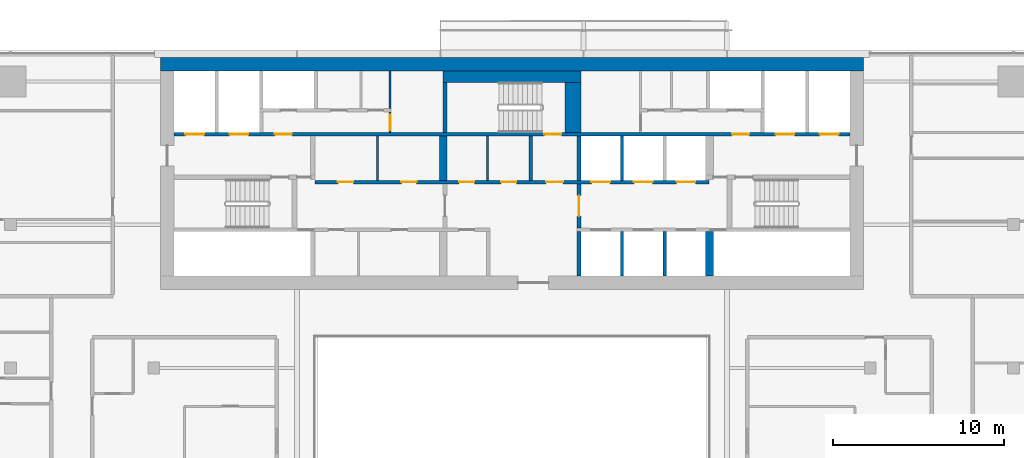
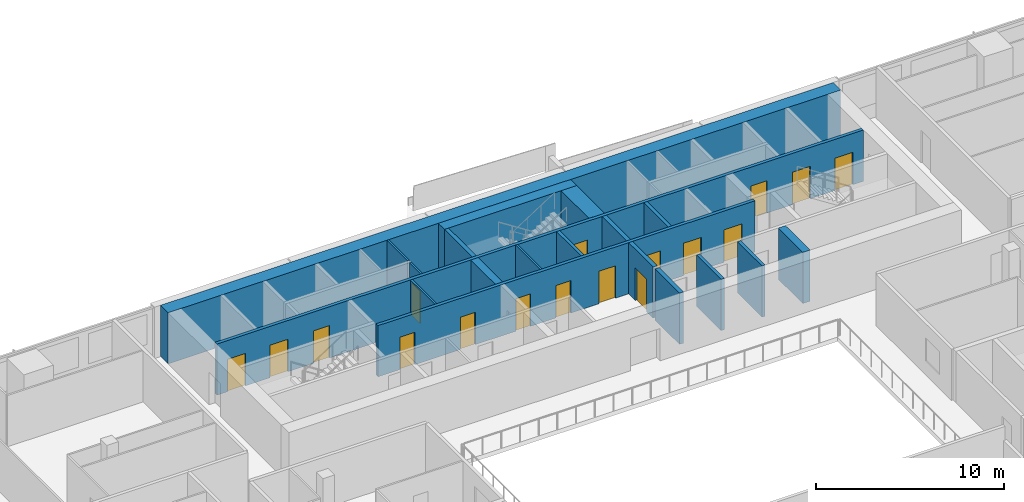
# One storey, part 21 of 27: 19 walls, 17 doors, 17 openings.
"""IFC4 building model written with IfcOpenShell, lengths in metres."""

from ifc_helpers import new_model, si_unit, direction, frame, frame_2d, origin, place, context, subcontext, project, spatial, rectangle, extrude, material, layer, layer_set, type_object, element, fill, save


model = new_model("IFC4")

# Units and contexts
model_context = context("Model", 3, precision=1e-05, world=origin(), true_north=direction((0.0, 1.0)))
body_context = subcontext(model_context, "Body", "Model", "MODEL_VIEW")
ifc_project = project(units=[si_unit("LENGTHUNIT", "METRE"), si_unit("AREAUNIT", "SQUARE_METRE"), si_unit("VOLUMEUNIT", "CUBIC_METRE"), si_unit("PLANEANGLEUNIT", "RADIAN"), si_unit("MASSUNIT", "GRAM", prefix="KILO")], contexts=[model_context])

# Site, building, storey
site_placement = place(None, origin())
site = spatial("IfcSite", under=ifc_project, at=site_placement, CompositionType="ELEMENT")
building_placement = place(site_placement, origin())
building = spatial("IfcBuilding", under=site, at=building_placement, Name="Saffron Gate Tower", CompositionType="ELEMENT")
storey_placement = place(building_placement, frame((0.0, 0.0, 172.64990234375)))
storey = spatial("IfcBuildingStorey", under=building, at=storey_placement, Name="L42", CompositionType="ELEMENT", Elevation=172.64990234375)

# Walls
ifc_material_1 = material(Name="Gypsum board partition on steel studs", Category="steel")
ifc_layer_1 = layer(ifc_material_1, 0.199951171875)
ifc_layer_set_1 = layer_set([ifc_layer_1], Name="CW10 Core partition 200")
wall_type_1 = type_object("IfcWallType", Name="CW10 Core partition 200", PredefinedType="PARTITIONING", material=ifc_layer_set_1)
wall_1_placement = place(storey_placement, frame((88.699951171875, 68.0, 0.0), z_axis=(0.0, 0.0, 1.0), x_axis=(0.0, 1.0, 0.0)))
element("IfcWall", 1, at=wall_1_placement, inside=storey, type_object=wall_type_1, Name="Wall CW10-L42-23", PredefinedType="PARTITIONING", context=body_context, shape_type="SweptSolid", body=[
    extrude(rectangle(XDim=2.60009765625, YDim=0.199951171875, at=frame_2d((1.300048828125, 0.0))), origin(), (0.0, 0.0, 1.0), 3.320068359375),
])
ifc_material_2 = material(Name="Concrete C60", Category="concrete")
ifc_layer_2 = layer(ifc_material_2, 0.800048828125)
ifc_layer_set_2 = layer_set([ifc_layer_2], Name="CW13 RC core wall 800 C60")
wall_type_2 = type_object("IfcWallType", Name="CW13 RC core wall 800 C60", PredefinedType="SOLIDWALL", material=ifc_layer_set_2)
wall_2_placement = place(storey_placement, frame((67.0, 74.800048828125, 0.0), z_axis=(0.0, 0.0, 1.0), x_axis=(1.0, 0.0, 0.0)))
element("IfcWall", 2, at=wall_2_placement, inside=storey, type_object=wall_type_2, Name="Wall CW13-L42-2", PredefinedType="SOLIDWALL", context=body_context, shape_type="SweptSolid", body=[
    extrude(rectangle(XDim=41.199951171875, YDim=0.800048828125, at=frame_2d((20.60009765625, 0.0))), origin(), (0.0, 0.0, 1.0), 3.320068359375),
])
ifc_layer_3 = layer(ifc_material_2, 0.25)
ifc_layer_set_3 = layer_set([ifc_layer_3], Name="CW14 RC core wall 250 C60")
wall_type_3 = type_object("IfcWallType", Name="CW14 RC core wall 250 C60", PredefinedType="SOLIDWALL", material=ifc_layer_set_3)
wall_3_placement = place(storey_placement, frame((91.52490234375, 62.39990234375, 0.0), z_axis=(0.0, 0.0, 1.0), x_axis=(0.0, 1.0, 0.0)))
element("IfcWall", 3, at=wall_3_placement, inside=storey, type_object=wall_type_3, Name="Wall CW14-L42-9", PredefinedType="SOLIDWALL", context=body_context, shape_type="SweptSolid", body=[
    extrude(rectangle(XDim=2.60009765625, YDim=0.25, at=frame_2d((1.300048828125, 0.0))), origin(), (0.0, 0.0, 1.0), 3.320068359375),
])

# Wall, opening, door
wall_4_placement = place(storey_placement, frame((91.52490234375, 65.199951171875, 0.0), z_axis=(0.0, 0.0, 1.0), x_axis=(0.0, 1.0, 0.0)))
wall_4 = element("IfcWall", 4, at=wall_4_placement, inside=storey, type_object=wall_type_3, Name="Wall CW14-L42-17", PredefinedType="SOLIDWALL", context=body_context, shape_type="SweptSolid", body=[
    extrude(rectangle(XDim=2.60009765625, YDim=0.25, at=frame_2d((1.300048828125, 0.0))), origin(), (0.0, 0.0, 1.0), 3.320068359375),
])
opening_1_placement = place(wall_4_placement, frame((0.699951171875, 0.0, 0.0)))
opening_1 = element("IfcOpeningElement", 5, at=opening_1_placement, cuts=wall_4, Name="Opening CR-01", PredefinedType="OPENING", context=body_context, shape_type="SweptSolid", body=[
    extrude(rectangle(XDim=1.199951171875, YDim=2.10009765625, at=frame_2d((0.60009765625, 1.050048828125))), frame((0.0, 0.135009765625, 0.0), z_axis=(0.0, -1.0, 0.0), x_axis=(1.0, 0.0, 0.0)), (0.0, 0.0, 1.0), 0.27001953125),
])
ifc_material_3 = material(Name="Steel fire door set", Category="steel")
door_type_1 = type_object("IfcDoorType", Name="CD3 Lobby door 1200x2100 EI 120", OperationType="NOTDEFINED", PredefinedType="DOOR", material=ifc_material_3)
door_1_placement = place(opening_1_placement, origin())
door_1 = element("IfcDoor", 6, at=door_1_placement, inside=storey, type_object=door_type_1, Name="DOOR CR-01", OperationType="SINGLE_SWING_RIGHT", OverallHeight=2.10009765625, OverallWidth=1.199951171875, PredefinedType="DOOR", context=body_context, shape_type="SweptSolid", body=[
    extrude(rectangle(XDim=1.199951171875, YDim=2.10009765625, at=frame_2d((0.60009765625, 1.050048828125))), frame((0.0, 0.02490234375, 0.0), z_axis=(0.0, -1.0, 0.0), x_axis=(1.0, 0.0, 0.0)), (0.0, 0.0, 1.0), 0.050048828125),
])
fill(opening_1, door_1)

# Walls
wall_5_placement = place(storey_placement, frame((91.52490234375, 68.0, 0.0), z_axis=(0.0, 0.0, 1.0), x_axis=(0.0, 1.0, 0.0)))
element("IfcWall", 7, at=wall_5_placement, inside=storey, type_object=wall_type_3, Name="Wall CW14-L42-24", PredefinedType="SOLIDWALL", context=body_context, shape_type="SweptSolid", body=[
    extrude(rectangle(XDim=2.60009765625, YDim=0.25, at=frame_2d((1.300048828125, 0.0))), origin(), (0.0, 0.0, 1.0), 3.320068359375),
])
wall_6_placement = place(storey_placement, frame((83.675048828125, 70.800048828125, 0.0), z_axis=(0.0, 0.0, 1.0), x_axis=(0.0, 1.0, 0.0)))
element("IfcWall", 8, at=wall_6_placement, inside=storey, type_object=wall_type_3, Name="Wall CW14-L42-36", PredefinedType="SOLIDWALL", context=body_context, shape_type="SweptSolid", body=[
    extrude(rectangle(XDim=2.949951171875, YDim=0.25, at=frame_2d((1.47509765625, 0.0))), origin(), (0.0, 0.0, 1.0), 3.320068359375),
])
ifc_layer_4 = layer(ifc_material_2, 0.199951171875)
ifc_layer_set_4 = layer_set([ifc_layer_4], Name="CW15 RC core wall 200 C60")
wall_type_4 = type_object("IfcWallType", Name="CW15 RC core wall 200 C60", PredefinedType="SOLIDWALL", material=ifc_layer_set_4)
for number, where, z_axis, x_axis, name in (
    (9, (94.050048828125, 62.39990234375, 0.0), (0.0, 0.0, 1.0), (0.0, 1.0, 0.0), "Wall CW15-L42-10"),
    (10, (96.550048828125, 62.39990234375, 0.0), (0.0, 0.0, 1.0), (0.0, 1.0, 0.0), "Wall CW15-L42-11"),
):
    element("IfcWall", number, at=place(storey_placement, frame(where, z_axis=z_axis, x_axis=x_axis)), inside=storey, type_object=wall_type_4, Name=name, PredefinedType="SOLIDWALL", context=body_context, shape_type="SweptSolid", body=[
        extrude(rectangle(XDim=2.60009765625, YDim=0.199951171875, at=frame_2d((1.300048828125, 0.0))), origin(), (0.0, 0.0, 1.0), 3.320068359375),
    ])

# Wall, openings, doors
wall_7_placement = place(storey_placement, frame((76.050048828125, 67.89990234375, 0.0), z_axis=(0.0, 0.0, 1.0), x_axis=(1.0, 0.0, 0.0)))
wall_7 = element("IfcWall", 11, at=wall_7_placement, inside=storey, type_object=wall_type_4, Name="Wall CW15-L42-19", PredefinedType="SOLIDWALL", context=body_context, shape_type="SweptSolid", body=[
    extrude(rectangle(XDim=23.099853515625, YDim=0.199951171875, at=frame_2d((11.5498046875, 0.0))), origin(), (0.0, 0.0, 1.0), 3.320068359375),
])
opening_2_placement = place(wall_7_placement, frame((1.35009765625, 0.0, 0.0)))
opening_2 = element("IfcOpeningElement", 12, at=opening_2_placement, cuts=wall_7, Name="Opening CR-61", PredefinedType="OPENING", context=body_context, shape_type="SweptSolid", body=[
    extrude(rectangle(XDim=0.89990234375, YDim=2.10009765625, at=frame_2d((0.449951171875, 1.050048828125))), frame((0.0, 0.10986328125, 0.0), z_axis=(0.0, -1.0, 0.0), x_axis=(1.0, 0.0, 0.0)), (0.0, 0.0, 1.0), 0.219970703125),
])
opening_3_placement = place(wall_7_placement, frame((5.06005859375, 0.0, 0.0)))
opening_3 = element("IfcOpeningElement", 13, at=opening_3_placement, cuts=wall_7, Name="Opening CR-62", PredefinedType="OPENING", context=body_context, shape_type="SweptSolid", body=[
    extrude(rectangle(XDim=0.89990234375, YDim=2.10009765625, at=frame_2d((0.449951171875, 1.050048828125))), frame((0.0, 0.10986328125, 0.0), z_axis=(0.0, -1.0, 0.0), x_axis=(1.0, 0.0, 0.0)), (0.0, 0.0, 1.0), 0.219970703125),
])
opening_4_placement = place(wall_7_placement, frame((8.449951171875, 0.0, 0.0)))
opening_4 = element("IfcOpeningElement", 14, at=opening_4_placement, cuts=wall_7, Name="Opening CR-67", PredefinedType="OPENING", context=body_context, shape_type="SweptSolid", body=[
    extrude(rectangle(XDim=0.89990234375, YDim=2.10009765625, at=frame_2d((0.449951171875, 1.050048828125))), frame((0.0, 0.10986328125, 0.0), z_axis=(0.0, -1.0, 0.0), x_axis=(1.0, 0.0, 0.0)), (0.0, 0.0, 1.0), 0.219970703125),
])
opening_5_placement = place(wall_7_placement, frame((10.909912109375, 0.0, 0.0)))
opening_5 = element("IfcOpeningElement", 15, at=opening_5_placement, cuts=wall_7, Name="Opening CR-68", PredefinedType="OPENING", context=body_context, shape_type="SweptSolid", body=[
    extrude(rectangle(XDim=0.89990234375, YDim=2.10009765625, at=frame_2d((0.449951171875, 1.050048828125))), frame((0.0, 0.10986328125, 0.0), z_axis=(0.0, -1.0, 0.0), x_axis=(1.0, 0.0, 0.0)), (0.0, 0.0, 1.0), 0.219970703125),
])
opening_6_placement = place(wall_7_placement, frame((13.550048828125, 0.0, 0.0)))
opening_6 = element("IfcOpeningElement", 16, at=opening_6_placement, cuts=wall_7, Name="Opening CR-02", PredefinedType="OPENING", context=body_context, shape_type="SweptSolid", body=[
    extrude(rectangle(XDim=1.0, YDim=2.10009765625, at=frame_2d((0.5, 1.050048828125))), frame((0.0, 0.10986328125, 0.0), z_axis=(0.0, -1.0, 0.0), x_axis=(1.0, 0.0, 0.0)), (0.0, 0.0, 1.0), 0.219970703125),
])
opening_7_placement = place(wall_7_placement, frame((16.199951171875, 0.0, 0.0)))
opening_7 = element("IfcOpeningElement", 17, at=opening_7_placement, cuts=wall_7, Name="Opening LD-HR4", PredefinedType="OPENING", context=body_context, shape_type="SweptSolid", body=[
    extrude(rectangle(XDim=1.10009765625, YDim=2.10009765625, at=frame_2d((0.550048828125, 1.050048828125))), frame((0.0, 0.10986328125, 0.0), z_axis=(0.0, -1.0, 0.0), x_axis=(1.0, 0.0, 0.0)), (0.0, 0.0, 1.0), 0.219970703125),
])
opening_8_placement = place(wall_7_placement, frame((18.699951171875, 0.0, 0.0)))
opening_8 = element("IfcOpeningElement", 18, at=opening_8_placement, cuts=wall_7, Name="Opening LD-HR5", PredefinedType="OPENING", context=body_context, shape_type="SweptSolid", body=[
    extrude(rectangle(XDim=1.10009765625, YDim=2.10009765625, at=frame_2d((0.550048828125, 1.050048828125))), frame((0.0, 0.10986328125, 0.0), z_axis=(0.0, -1.0, 0.0), x_axis=(1.0, 0.0, 0.0)), (0.0, 0.0, 1.0), 0.219970703125),
])
opening_9_placement = place(wall_7_placement, frame((21.199951171875, 0.0, 0.0)))
opening_9 = element("IfcOpeningElement", 19, at=opening_9_placement, cuts=wall_7, Name="Opening LD-HR6", PredefinedType="OPENING", context=body_context, shape_type="SweptSolid", body=[
    extrude(rectangle(XDim=1.10009765625, YDim=2.10009765625, at=frame_2d((0.550048828125, 1.050048828125))), frame((0.0, 0.10986328125, 0.0), z_axis=(0.0, -1.0, 0.0), x_axis=(1.0, 0.0, 0.0)), (0.0, 0.0, 1.0), 0.219970703125),
])
door_type_2 = type_object("IfcDoorType", Name="CD4 Lobby door 1000x2100 EI 120", OperationType="NOTDEFINED", PredefinedType="DOOR", material=ifc_material_3)
door_2_placement = place(opening_6_placement, origin())
door_2 = element("IfcDoor", 20, at=door_2_placement, inside=storey, type_object=door_type_2, Name="DOOR CR-02", OperationType="SINGLE_SWING_LEFT", OverallHeight=2.10009765625, OverallWidth=1.0, PredefinedType="DOOR", context=body_context, shape_type="SweptSolid", body=[
    extrude(rectangle(XDim=1.0, YDim=2.10009765625, at=frame_2d((0.5, 1.050048828125))), frame((0.0, 0.02490234375, 0.0), z_axis=(0.0, -1.0, 0.0), x_axis=(1.0, 0.0, 0.0)), (0.0, 0.0, 1.0), 0.050048828125),
])
fill(opening_6, door_2)
door_type_3 = type_object("IfcDoorType", Name="CD9 Room door 900x2100 EI 60", OperationType="NOTDEFINED", PredefinedType="DOOR", material=ifc_material_3)
door_3_placement = place(opening_2_placement, origin())
door_3 = element("IfcDoor", 21, at=door_3_placement, inside=storey, type_object=door_type_3, Name="DOOR CR-61", OperationType="SINGLE_SWING_LEFT", OverallHeight=2.10009765625, OverallWidth=0.89990234375, PredefinedType="DOOR", context=body_context, shape_type="SweptSolid", body=[
    extrude(rectangle(XDim=0.89990234375, YDim=2.10009765625, at=frame_2d((0.449951171875, 1.050048828125))), frame((0.0, 0.02490234375, 0.0), z_axis=(0.0, -1.0, 0.0), x_axis=(1.0, 0.0, 0.0)), (0.0, 0.0, 1.0), 0.050048828125),
])
fill(opening_2, door_3)
door_4_placement = place(opening_3_placement, origin())
door_4 = element("IfcDoor", 22, at=door_4_placement, inside=storey, type_object=door_type_3, Name="DOOR CR-62", OperationType="SINGLE_SWING_LEFT", OverallHeight=2.10009765625, OverallWidth=0.89990234375, PredefinedType="DOOR", context=body_context, shape_type="SweptSolid", body=[
    extrude(rectangle(XDim=0.89990234375, YDim=2.10009765625, at=frame_2d((0.449951171875, 1.050048828125))), frame((0.0, 0.02490234375, 0.0), z_axis=(0.0, -1.0, 0.0), x_axis=(1.0, 0.0, 0.0)), (0.0, 0.0, 1.0), 0.050048828125),
])
fill(opening_3, door_4)
door_5_placement = place(opening_4_placement, origin())
door_5 = element("IfcDoor", 23, at=door_5_placement, inside=storey, type_object=door_type_3, Name="DOOR CR-67", OperationType="SINGLE_SWING_LEFT", OverallHeight=2.10009765625, OverallWidth=0.89990234375, PredefinedType="DOOR", context=body_context, shape_type="SweptSolid", body=[
    extrude(rectangle(XDim=0.89990234375, YDim=2.10009765625, at=frame_2d((0.449951171875, 1.050048828125))), frame((0.0, 0.02490234375, 0.0), z_axis=(0.0, -1.0, 0.0), x_axis=(1.0, 0.0, 0.0)), (0.0, 0.0, 1.0), 0.050048828125),
])
fill(opening_4, door_5)
door_6_placement = place(opening_5_placement, origin())
door_6 = element("IfcDoor", 24, at=door_6_placement, inside=storey, type_object=door_type_3, Name="DOOR CR-68", OperationType="SINGLE_SWING_LEFT", OverallHeight=2.10009765625, OverallWidth=0.89990234375, PredefinedType="DOOR", context=body_context, shape_type="SweptSolid", body=[
    extrude(rectangle(XDim=0.89990234375, YDim=2.10009765625, at=frame_2d((0.449951171875, 1.050048828125))), frame((0.0, 0.02490234375, 0.0), z_axis=(0.0, -1.0, 0.0), x_axis=(1.0, 0.0, 0.0)), (0.0, 0.0, 1.0), 0.050048828125),
])
fill(opening_5, door_6)
ifc_material_4 = material(Name="Stainless steel landing door", Category="steel")
door_type_4 = type_object("IfcDoorType", Name="LD Lift landing door 1100x2100 EI 120", OperationType="SLIDING_TO_LEFT", PredefinedType="DOOR", material=ifc_material_4)
door_7_placement = place(opening_7_placement, origin())
door_7 = element("IfcDoor", 25, at=door_7_placement, inside=storey, type_object=door_type_4, Name="LANDING DOOR LD-HR4", OperationType="SLIDING_TO_RIGHT", OverallHeight=2.10009765625, OverallWidth=1.10009765625, PredefinedType="DOOR", context=body_context, shape_type="SweptSolid", body=[
    extrude(rectangle(XDim=1.10009765625, YDim=2.10009765625, at=frame_2d((0.550048828125, 1.050048828125))), frame((0.0, 0.02490234375, 0.0), z_axis=(0.0, -1.0, 0.0), x_axis=(1.0, 0.0, 0.0)), (0.0, 0.0, 1.0), 0.050048828125),
])
fill(opening_7, door_7)
door_8_placement = place(opening_8_placement, origin())
door_8 = element("IfcDoor", 26, at=door_8_placement, inside=storey, type_object=door_type_4, Name="LANDING DOOR LD-HR5", OperationType="SLIDING_TO_RIGHT", OverallHeight=2.10009765625, OverallWidth=1.10009765625, PredefinedType="DOOR", context=body_context, shape_type="SweptSolid", body=[
    extrude(rectangle(XDim=1.10009765625, YDim=2.10009765625, at=frame_2d((0.550048828125, 1.050048828125))), frame((0.0, 0.02490234375, 0.0), z_axis=(0.0, -1.0, 0.0), x_axis=(1.0, 0.0, 0.0)), (0.0, 0.0, 1.0), 0.050048828125),
])
fill(opening_8, door_8)
door_9_placement = place(opening_9_placement, origin())
door_9 = element("IfcDoor", 27, at=door_9_placement, inside=storey, type_object=door_type_4, Name="LANDING DOOR LD-HR6", OperationType="SLIDING_TO_RIGHT", OverallHeight=2.10009765625, OverallWidth=1.10009765625, PredefinedType="DOOR", context=body_context, shape_type="SweptSolid", body=[
    extrude(rectangle(XDim=1.10009765625, YDim=2.10009765625, at=frame_2d((0.550048828125, 1.050048828125))), frame((0.0, 0.02490234375, 0.0), z_axis=(0.0, -1.0, 0.0), x_axis=(1.0, 0.0, 0.0)), (0.0, 0.0, 1.0), 0.050048828125),
])
fill(opening_9, door_9)

# Wall
wall_8_placement = place(storey_placement, frame((94.050048828125, 68.0, 0.0), z_axis=(0.0, 0.0, 1.0), x_axis=(0.0, 1.0, 0.0)))
element("IfcWall", 28, at=wall_8_placement, inside=storey, type_object=wall_type_4, Name="Wall CW15-L42-25", PredefinedType="SOLIDWALL", context=body_context, shape_type="SweptSolid", body=[
    extrude(rectangle(XDim=2.60009765625, YDim=0.199951171875, at=frame_2d((1.300048828125, 0.0))), origin(), (0.0, 0.0, 1.0), 3.320068359375),
])

# Wall, openings, doors
wall_9_placement = place(storey_placement, frame((67.800048828125, 70.699951171875, 0.0), z_axis=(0.0, 0.0, 1.0), x_axis=(1.0, 0.0, 0.0)))
wall_9 = element("IfcWall", 29, at=wall_9_placement, inside=storey, type_object=wall_type_4, Name="Wall CW15-L42-32", PredefinedType="SOLIDWALL", context=body_context, shape_type="SweptSolid", body=[
    extrude(rectangle(XDim=39.599853515625, YDim=0.199951171875, at=frame_2d((19.7998046875, 0.0))), origin(), (0.0, 0.0, 1.0), 3.320068359375),
])
opening_10_placement = place(wall_9_placement, frame((0.64990234375, 0.0, 0.0)))
opening_10 = element("IfcOpeningElement", 30, at=opening_10_placement, cuts=wall_9, Name="Opening LD-FF1", PredefinedType="OPENING", context=body_context, shape_type="SweptSolid", body=[
    extrude(rectangle(XDim=1.10009765625, YDim=2.10009765625, at=frame_2d((0.550048828125, 1.050048828125))), frame((0.0, 0.10986328125, 0.0), z_axis=(0.0, -1.0, 0.0), x_axis=(1.0, 0.0, 0.0)), (0.0, 0.0, 1.0), 0.219970703125),
])
opening_11_placement = place(wall_9_placement, frame((3.25, 0.0, 0.0)))
opening_11 = element("IfcOpeningElement", 31, at=opening_11_placement, cuts=wall_9, Name="Opening LD-SV1", PredefinedType="OPENING", context=body_context, shape_type="SweptSolid", body=[
    extrude(rectangle(XDim=1.10009765625, YDim=2.10009765625, at=frame_2d((0.550048828125, 1.050048828125))), frame((0.0, 0.10986328125, 0.0), z_axis=(0.0, -1.0, 0.0), x_axis=(1.0, 0.0, 0.0)), (0.0, 0.0, 1.0), 0.219970703125),
])
opening_12_placement = place(wall_9_placement, frame((5.89990234375, 0.0, 0.0)))
opening_12 = element("IfcOpeningElement", 32, at=opening_12_placement, cuts=wall_9, Name="Opening CR-03", PredefinedType="OPENING", context=body_context, shape_type="SweptSolid", body=[
    extrude(rectangle(XDim=1.0, YDim=2.10009765625, at=frame_2d((0.5, 1.050048828125))), frame((0.0, 0.10986328125, 0.0), z_axis=(0.0, -1.0, 0.0), x_axis=(1.0, 0.0, 0.0)), (0.0, 0.0, 1.0), 0.219970703125),
])
opening_13_placement = place(wall_9_placement, frame((21.699951171875, 0.0, 0.0)))
opening_13 = element("IfcOpeningElement", 33, at=opening_13_placement, cuts=wall_9, Name="Opening CR-17", PredefinedType="OPENING", context=body_context, shape_type="SweptSolid", body=[
    extrude(rectangle(XDim=1.0, YDim=2.10009765625, at=frame_2d((0.5, 1.050048828125))), frame((0.0, 0.10986328125, 0.0), z_axis=(0.0, -1.0, 0.0), x_axis=(1.0, 0.0, 0.0)), (0.0, 0.0, 1.0), 0.219970703125),
])
opening_14_placement = place(wall_9_placement, frame((32.699951171875, 0.0, 0.0)))
opening_14 = element("IfcOpeningElement", 34, at=opening_14_placement, cuts=wall_9, Name="Opening CR-04", PredefinedType="OPENING", context=body_context, shape_type="SweptSolid", body=[
    extrude(rectangle(XDim=1.0, YDim=2.10009765625, at=frame_2d((0.5, 1.050048828125))), frame((0.0, 0.10986328125, 0.0), z_axis=(0.0, -1.0, 0.0), x_axis=(1.0, 0.0, 0.0)), (0.0, 0.0, 1.0), 0.219970703125),
])
opening_15_placement = place(wall_9_placement, frame((35.25, 0.0, 0.0)))
opening_15 = element("IfcOpeningElement", 35, at=opening_15_placement, cuts=wall_9, Name="Opening LD-SV2", PredefinedType="OPENING", context=body_context, shape_type="SweptSolid", body=[
    extrude(rectangle(XDim=1.10009765625, YDim=2.10009765625, at=frame_2d((0.550048828125, 1.050048828125))), frame((0.0, 0.10986328125, 0.0), z_axis=(0.0, -1.0, 0.0), x_axis=(1.0, 0.0, 0.0)), (0.0, 0.0, 1.0), 0.219970703125),
])
opening_16_placement = place(wall_9_placement, frame((37.85009765625, 0.0, 0.0)))
opening_16 = element("IfcOpeningElement", 36, at=opening_16_placement, cuts=wall_9, Name="Opening LD-FF2", PredefinedType="OPENING", context=body_context, shape_type="SweptSolid", body=[
    extrude(rectangle(XDim=1.10009765625, YDim=2.10009765625, at=frame_2d((0.550048828125, 1.050048828125))), frame((0.0, 0.10986328125, 0.0), z_axis=(0.0, -1.0, 0.0), x_axis=(1.0, 0.0, 0.0)), (0.0, 0.0, 1.0), 0.219970703125),
])
door_10_placement = place(opening_12_placement, origin())
door_10 = element("IfcDoor", 37, at=door_10_placement, inside=storey, type_object=door_type_2, Name="DOOR CR-03", OperationType="SINGLE_SWING_LEFT", OverallHeight=2.10009765625, OverallWidth=1.0, PredefinedType="DOOR", context=body_context, shape_type="SweptSolid", body=[
    extrude(rectangle(XDim=1.0, YDim=2.10009765625, at=frame_2d((0.5, 1.050048828125))), frame((0.0, 0.02490234375, 0.0), z_axis=(0.0, -1.0, 0.0), x_axis=(1.0, 0.0, 0.0)), (0.0, 0.0, 1.0), 0.050048828125),
])
fill(opening_12, door_10)
door_11_placement = place(opening_14_placement, origin())
door_11 = element("IfcDoor", 38, at=door_11_placement, inside=storey, type_object=door_type_2, Name="DOOR CR-04", OperationType="SINGLE_SWING_RIGHT", OverallHeight=2.10009765625, OverallWidth=1.0, PredefinedType="DOOR", context=body_context, shape_type="SweptSolid", body=[
    extrude(rectangle(XDim=1.0, YDim=2.10009765625, at=frame_2d((0.5, 1.050048828125))), frame((0.0, 0.02490234375, 0.0), z_axis=(0.0, -1.0, 0.0), x_axis=(1.0, 0.0, 0.0)), (0.0, 0.0, 1.0), 0.050048828125),
])
fill(opening_14, door_11)
door_type_5 = type_object("IfcDoorType", Name="CD5 Stair door 1000x2100 EI 120", OperationType="NOTDEFINED", PredefinedType="DOOR", material=ifc_material_3)
door_12_placement = place(opening_13_placement, origin())
door_12 = element("IfcDoor", 39, at=door_12_placement, inside=storey, type_object=door_type_5, Name="DOOR CR-17", OperationType="SINGLE_SWING_RIGHT", OverallHeight=2.10009765625, OverallWidth=1.0, PredefinedType="DOOR", context=body_context, shape_type="SweptSolid", body=[
    extrude(rectangle(XDim=1.0, YDim=2.10009765625, at=frame_2d((0.5, 1.050048828125))), frame((0.0, 0.02490234375, 0.0), z_axis=(0.0, -1.0, 0.0), x_axis=(1.0, 0.0, 0.0)), (0.0, 0.0, 1.0), 0.050048828125),
])
fill(opening_13, door_12)
door_13_placement = place(opening_10_placement, origin())
door_13 = element("IfcDoor", 40, at=door_13_placement, inside=storey, type_object=door_type_4, Name="LANDING DOOR LD-FF1", OperationType="SLIDING_TO_RIGHT", OverallHeight=2.10009765625, OverallWidth=1.10009765625, PredefinedType="DOOR", context=body_context, shape_type="SweptSolid", body=[
    extrude(rectangle(XDim=1.10009765625, YDim=2.10009765625, at=frame_2d((0.550048828125, 1.050048828125))), frame((0.0, 0.02490234375, 0.0), z_axis=(0.0, -1.0, 0.0), x_axis=(1.0, 0.0, 0.0)), (0.0, 0.0, 1.0), 0.050048828125),
])
fill(opening_10, door_13)
door_14_placement = place(opening_11_placement, origin())
door_14 = element("IfcDoor", 41, at=door_14_placement, inside=storey, type_object=door_type_4, Name="LANDING DOOR LD-SV1", OperationType="SLIDING_TO_RIGHT", OverallHeight=2.10009765625, OverallWidth=1.10009765625, PredefinedType="DOOR", context=body_context, shape_type="SweptSolid", body=[
    extrude(rectangle(XDim=1.10009765625, YDim=2.10009765625, at=frame_2d((0.550048828125, 1.050048828125))), frame((0.0, 0.02490234375, 0.0), z_axis=(0.0, -1.0, 0.0), x_axis=(1.0, 0.0, 0.0)), (0.0, 0.0, 1.0), 0.050048828125),
])
fill(opening_11, door_14)
door_15_placement = place(opening_15_placement, origin())
door_15 = element("IfcDoor", 42, at=door_15_placement, inside=storey, type_object=door_type_4, Name="LANDING DOOR LD-SV2", OperationType="SLIDING_TO_RIGHT", OverallHeight=2.10009765625, OverallWidth=1.10009765625, PredefinedType="DOOR", context=body_context, shape_type="SweptSolid", body=[
    extrude(rectangle(XDim=1.10009765625, YDim=2.10009765625, at=frame_2d((0.550048828125, 1.050048828125))), frame((0.0, 0.02490234375, 0.0), z_axis=(0.0, -1.0, 0.0), x_axis=(1.0, 0.0, 0.0)), (0.0, 0.0, 1.0), 0.050048828125),
])
fill(opening_15, door_15)
door_16_placement = place(opening_16_placement, origin())
door_16 = element("IfcDoor", 43, at=door_16_placement, inside=storey, type_object=door_type_4, Name="LANDING DOOR LD-FF2", OperationType="SLIDING_TO_RIGHT", OverallHeight=2.10009765625, OverallWidth=1.10009765625, PredefinedType="DOOR", context=body_context, shape_type="SweptSolid", body=[
    extrude(rectangle(XDim=1.10009765625, YDim=2.10009765625, at=frame_2d((0.550048828125, 1.050048828125))), frame((0.0, 0.02490234375, 0.0), z_axis=(0.0, -1.0, 0.0), x_axis=(1.0, 0.0, 0.0)), (0.0, 0.0, 1.0), 0.050048828125),
])
fill(opening_16, door_16)

# Walls
ifc_layer_5 = layer(ifc_material_2, 0.449951171875)
ifc_layer_set_5 = layer_set([ifc_layer_5], Name="CW16 RC core wall 450 C60")
wall_type_5 = type_object("IfcWallType", Name="CW16 RC core wall 450 C60", PredefinedType="SOLIDWALL", material=ifc_layer_set_5)
for number, where, z_axis, x_axis, name in (
    (44, (99.175048828125, 62.39990234375, 0.0), (0.0, 0.0, 1.0), (0.0, 1.0, 0.0), "Wall CW16-L42-12"),
    (45, (83.574951171875, 68.0, 0.0), (0.0, 0.0, 1.0), (0.0, 1.0, 0.0), "Wall CW16-L42-21"),
):
    element("IfcWall", number, at=place(storey_placement, frame(where, z_axis=z_axis, x_axis=x_axis)), inside=storey, type_object=wall_type_5, Name=name, PredefinedType="SOLIDWALL", context=body_context, shape_type="SweptSolid", body=[
        extrude(rectangle(XDim=2.60009765625, YDim=0.449951171875, at=frame_2d((1.300048828125, 0.0))), origin(), (0.0, 0.0, 1.0), 3.320068359375),
    ])
ifc_layer_6 = layer(ifc_material_2, 0.949951171875)
ifc_layer_set_6 = layer_set([ifc_layer_6], Name="CW19 RC core wall 950 C60")
wall_type_6 = type_object("IfcWallType", Name="CW19 RC core wall 950 C60", PredefinedType="SOLIDWALL", material=ifc_layer_set_6)
wall_10_placement = place(storey_placement, frame((91.175048828125, 70.800048828125, 0.0), z_axis=(0.0, 0.0, 1.0), x_axis=(0.0, 1.0, 0.0)))
element("IfcWall", 46, at=wall_10_placement, inside=storey, type_object=wall_type_6, Name="Wall CW19-L42-37", PredefinedType="SOLIDWALL", context=body_context, shape_type="SweptSolid", body=[
    extrude(rectangle(XDim=2.949951171875, YDim=0.949951171875, at=frame_2d((1.47509765625, 0.0))), origin(), (0.0, 0.0, 1.0), 3.320068359375),
])
ifc_layer_7 = layer(ifc_material_2, 0.64990234375)
ifc_layer_set_7 = layer_set([ifc_layer_7], Name="CW20 RC core wall 650 C60")
wall_type_7 = type_object("IfcWallType", Name="CW20 RC core wall 650 C60", PredefinedType="SOLIDWALL", material=ifc_layer_set_7)
wall_11_placement = place(storey_placement, frame((83.550048828125, 74.074951171875, 0.0), z_axis=(0.0, 0.0, 1.0), x_axis=(1.0, 0.0, 0.0)))
element("IfcWall", 47, at=wall_11_placement, inside=storey, type_object=wall_type_7, Name="Wall CW20-L42-51", PredefinedType="SOLIDWALL", context=body_context, shape_type="SweptSolid", body=[
    extrude(rectangle(XDim=8.099853515625, YDim=0.64990234375, at=frame_2d((4.0498046875, 0.0))), origin(), (0.0, 0.0, 1.0), 3.320068359375),
])
ifc_layer_8 = layer(ifc_material_1, 0.1201171875)
ifc_layer_set_8 = layer_set([ifc_layer_8], Name="CW8 Core partition 120")
wall_type_8 = type_object("IfcWallType", Name="CW8 Core partition 120", PredefinedType="PARTITIONING", material=ifc_layer_set_8)
for number, where, z_axis, x_axis, name in (
    (48, (79.7099609375, 68.0, 0.0), (0.0, 0.0, 1.0), (0.0, 1.0, 0.0), "Wall CW8-L42-20"),
    (49, (86.159912109375, 68.0, 0.0), (0.0, 0.0, 1.0), (0.0, 1.0, 0.0), "Wall CW8-L42-22"),
):
    element("IfcWall", number, at=place(storey_placement, frame(where, z_axis=z_axis, x_axis=x_axis)), inside=storey, type_object=wall_type_8, Name=name, PredefinedType="PARTITIONING", context=body_context, shape_type="SweptSolid", body=[
        extrude(rectangle(XDim=2.60009765625, YDim=0.1201171875, at=frame_2d((1.300048828125, 0.0))), origin(), (0.0, 0.0, 1.0), 3.320068359375),
    ])

# Wall, opening, door
wall_12_placement = place(storey_placement, frame((80.4599609375, 70.800048828125, 0.0), z_axis=(0.0, 0.0, 1.0), x_axis=(0.0, 1.0, 0.0)))
wall_12 = element("IfcWall", 50, at=wall_12_placement, inside=storey, type_object=wall_type_8, Name="Wall CW8-L42-35", PredefinedType="PARTITIONING", context=body_context, shape_type="SweptSolid", body=[
    extrude(rectangle(XDim=1.199951171875, YDim=0.1201171875, at=frame_2d((0.60009765625, 0.0))), origin(), (0.0, 0.0, 1.0), 3.320068359375),
])
opening_17_placement = place(wall_12_placement, frame((0.14990234375, 0.0, 0.0)))
opening_17 = element("IfcOpeningElement", 51, at=opening_17_placement, cuts=wall_12, Name="Opening CR-60", PredefinedType="OPENING", context=body_context, shape_type="SweptSolid", body=[
    extrude(rectangle(XDim=0.89990234375, YDim=2.10009765625, at=frame_2d((0.449951171875, 1.050048828125))), frame((0.0, 0.070068359375, 0.0), z_axis=(0.0, -1.0, 0.0), x_axis=(1.0, 0.0, 0.0)), (0.0, 0.0, 1.0), 0.14013671875),
])
door_17_placement = place(opening_17_placement, origin())
door_17 = element("IfcDoor", 52, at=door_17_placement, inside=storey, type_object=door_type_3, Name="DOOR CR-60", OperationType="SINGLE_SWING_RIGHT", OverallHeight=2.10009765625, OverallWidth=0.89990234375, PredefinedType="DOOR", context=body_context, shape_type="SweptSolid", body=[
    extrude(rectangle(XDim=0.89990234375, YDim=2.10009765625, at=frame_2d((0.449951171875, 1.050048828125))), frame((0.0, 0.02490234375, 0.0), z_axis=(0.0, -1.0, 0.0), x_axis=(1.0, 0.0, 0.0)), (0.0, 0.0, 1.0), 0.050048828125),
])
fill(opening_17, door_17)

# Wall
wall_13_placement = place(storey_placement, frame((80.4599609375, 72.199951171875, 0.0), z_axis=(0.0, 0.0, 1.0), x_axis=(0.0, 1.0, 0.0)))
element("IfcWall", 53, at=wall_13_placement, inside=storey, type_object=wall_type_8, Name="Wall CW8-L42-46", PredefinedType="PARTITIONING", context=body_context, shape_type="SweptSolid", body=[
    extrude(rectangle(XDim=2.199951171875, YDim=0.1201171875, at=frame_2d((1.10009765625, 0.0))), origin(), (0.0, 0.0, 1.0), 3.320068359375),
])

save(model, "model.ifc")
